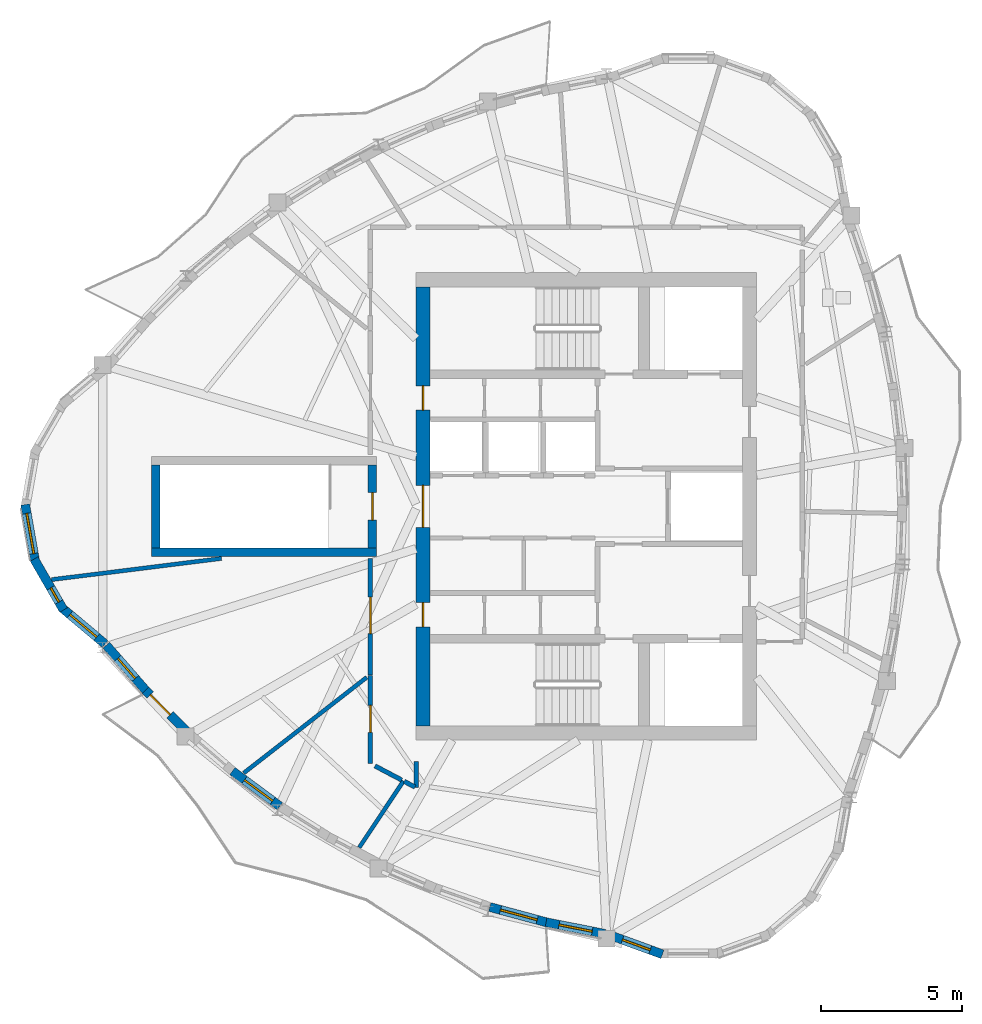
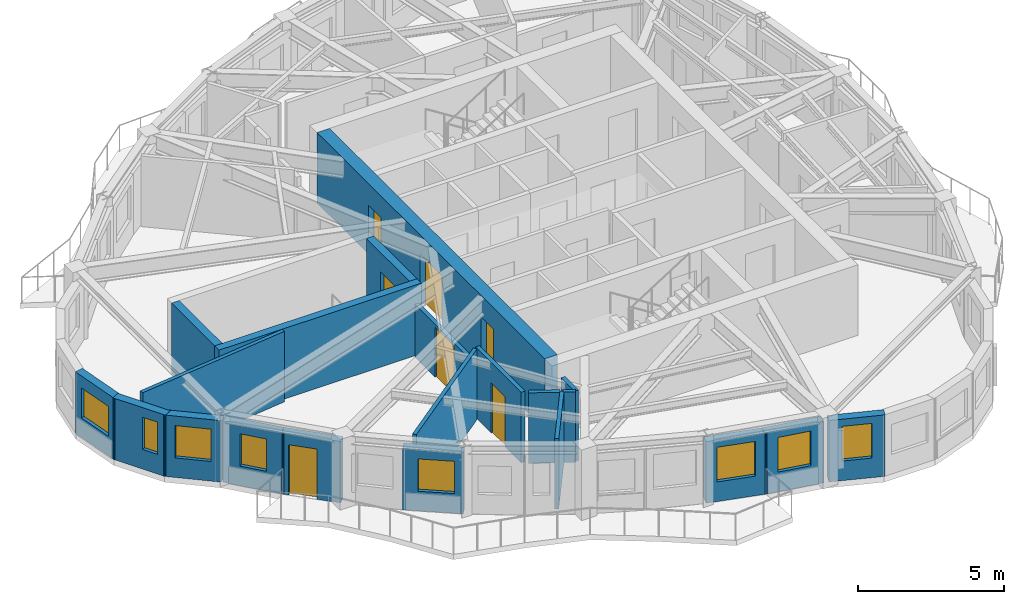
# One storey, part 3 of 12: 21 walls, 8 windows, 7 doors, 15 openings.
"""IFC4 building model written with IfcOpenShell, lengths in metres."""

from ifc_helpers import new_model, si_unit, direction, frame, frame_2d, origin, place, context, subcontext, project, spatial, rectangle, extrude, source, transform, mapped, material, layer, layer_set, type_object, element, fill, save


model = new_model("IFC4")

# Units and contexts
model_context = context("Model", 3, precision=1e-05, world=origin(), true_north=direction((0.0, 1.0)))
body_context = subcontext(model_context, "Body", "Model", "MODEL_VIEW")
ifc_project = project(units=[si_unit("LENGTHUNIT", "METRE"), si_unit("AREAUNIT", "SQUARE_METRE"), si_unit("VOLUMEUNIT", "CUBIC_METRE"), si_unit("PLANEANGLEUNIT", "RADIAN"), si_unit("MASSUNIT", "GRAM", prefix="KILO")], contexts=[model_context])

# Site, building, storey
site_placement = place(None, origin())
site = spatial("IfcSite", under=ifc_project, at=site_placement, CompositionType="ELEMENT")
building_placement = place(site_placement, origin())
building = spatial("IfcBuilding", under=site, at=building_placement, Name="Qafzar Sky-Pleat Residences", CompositionType="ELEMENT")
storey_placement = place(building_placement, frame((0.0, 0.0, 250.0)))
storey = spatial("IfcBuildingStorey", under=building, at=storey_placement, Name="L75", CompositionType="ELEMENT", Elevation=250.0)

# Wall, opening, door
ifc_material_1 = material(Name="Acoustic gypsum plasterboard partition", Category="gypsum")
ifc_layer_1 = layer(ifc_material_1, 0.159912109375)
ifc_layer_set_1 = layer_set([ifc_layer_1], Name="Acoustic gypsum plasterboard partition")
wall_type_1 = type_object("IfcWallType", Name="PART-COR-160", PredefinedType="PARTITIONING", material=ifc_layer_set_1)
wall_1_placement = place(storey_placement, frame((22.679931640625, 20.011962890625, 0.0), z_axis=(0.0, 0.0, 1.0), x_axis=(0.0, 1.0, 0.0)))
wall_1 = element("IfcWall", 1, at=wall_1_placement, inside=storey, type_object=wall_type_1, Name="L75 Partition Wall PART-L75-PW-004", PredefinedType="PARTITIONING", context=body_context, shape_type="SweptSolid", body=[
    extrude(rectangle(XDim=4.137939453125, YDim=0.159912109375, at=frame_2d((2.06884765625, 0.0))), origin(), (0.0, 0.0, 1.0), 2.218017578125),
])
opening_1_placement = place(wall_1_placement, frame((1.466064453125, 0.0, 0.0)))
opening_1 = element("IfcOpeningElement", 2, at=opening_1_placement, cuts=wall_1, Name="Opening ID-05", PredefinedType="OPENING", context=body_context, shape_type="SweptSolid", body=[
    extrude(rectangle(XDim=1.300048828125, YDim=2.10009765625, at=frame_2d((0.64990234375, 1.050048828125))), frame((0.0, 0.08984375, 0.0), z_axis=(0.0, -1.0, 0.0), x_axis=(1.0, 0.0, 0.0)), (0.0, 0.0, 1.0), 0.179931640625),
])
ifc_material_2 = material(Name="Timber-faced fire door", Category="wood")
door_type_1 = type_object("IfcDoorType", Name="DR-LNG-1300", OperationType="DOUBLE_DOOR_SINGLE_SWING", PredefinedType="DOOR", material=ifc_material_2)
shared_shape_1 = source(origin(), body_context, "Body", "SweptSolid", [
    extrude(rectangle(XDim=1.300048828125, YDim=2.10009765625, at=frame_2d((0.64990234375, 1.050048828125))), frame((0.0, 0.02490234375, 0.0), z_axis=(0.0, -1.0, 0.0), x_axis=(1.0, 0.0, 0.0)), (0.0, 0.0, 1.0), 0.050048828125),
])
door_1_placement = place(opening_1_placement, origin())
door_1 = element("IfcDoor", 3, at=door_1_placement, inside=storey, type_object=door_type_1, Name="L75 Research Conference Room Door", OperationType="DOUBLE_DOOR_SINGLE_SWING", OverallHeight=2.10009765625, OverallWidth=1.300048828125, PredefinedType="DOOR", context=body_context, shape_type="MappedRepresentation", body=[
    mapped(shared_shape_1, transform((0.0, 0.0, 0.0), x_axis=(1.0, 0.0, 0.0), y_axis=(0.0, 1.0, 0.0), z_axis=(0.0, 0.0, 1.0), scale=1.0)),
])
fill(opening_1, door_1)

wall_2_placement = place(storey_placement, frame((22.679931640625, 16.868896484375, 0.0), z_axis=(0.0, 0.0, 1.0), x_axis=(0.0, 1.0, 0.0)))
wall_2 = element("IfcWall", 4, at=wall_2_placement, inside=storey, type_object=wall_type_1, Name="L75 Partition Wall PART-L75-PW-008", PredefinedType="PARTITIONING", context=body_context, shape_type="SweptSolid", body=[
    extrude(rectangle(XDim=3.128173828125, YDim=0.159912109375, at=frame_2d((1.56396484375, 0.0))), origin(), (0.0, 0.0, 1.0), 2.949951171875),
])
opening_2_placement = place(wall_2_placement, frame((1.10107421875, 0.0, 0.0)))
opening_2 = element("IfcOpeningElement", 5, at=opening_2_placement, cuts=wall_2, Name="Opening ID-06", PredefinedType="OPENING", context=body_context, shape_type="SweptSolid", body=[
    extrude(rectangle(XDim=0.9599609375, YDim=2.10009765625, at=frame_2d((0.47998046875, 1.050048828125))), frame((0.0, 0.08984375, 0.0), z_axis=(0.0, -1.0, 0.0), x_axis=(1.0, 0.0, 0.0)), (0.0, 0.0, 1.0), 0.179931640625),
])
door_type_2 = type_object("IfcDoorType", Name="DR-STD-960", OperationType="NOTDEFINED", PredefinedType="DOOR", material=ifc_material_2)
shared_shape_2 = source(origin(), body_context, "Body", "SweptSolid", [
    extrude(rectangle(XDim=0.9599609375, YDim=2.10009765625, at=frame_2d((0.47998046875, 1.050048828125))), frame((0.0, 0.02490234375, 0.0), z_axis=(0.0, -1.0, 0.0), x_axis=(1.0, 0.0, 0.0)), (0.0, 0.0, 1.0), 0.050048828125),
])
door_2_placement = place(opening_2_placement, origin())
door_2 = element("IfcDoor", 6, at=door_2_placement, inside=storey, type_object=door_type_2, Name="L75 Wellness Yoga Studio Door", OperationType="SINGLE_SWING_RIGHT", OverallHeight=2.10009765625, OverallWidth=0.9599609375, PredefinedType="DOOR", context=body_context, shape_type="MappedRepresentation", body=[
    mapped(shared_shape_2, transform((0.0, 0.0, 0.0), x_axis=(1.0, 0.0, 0.0), y_axis=(0.0, 1.0, 0.0), z_axis=(0.0, 0.0, 1.0), scale=1.0)),
])
fill(opening_2, door_2)

# Walls
wall_3_placement = place(storey_placement, frame((22.83935546875, 16.781494140625, 0.0), z_axis=(0.0, 0.0, 1.0), x_axis=(0.884533287542, -0.466477076853, 0.0)))
element("IfcWall", 7, at=wall_3_placement, inside=storey, type_object=wall_type_1, Name="L75 Partition Wall PART-L75-PW-025", PredefinedType="PARTITIONING", context=body_context, shape_type="SweptSolid", body=[
    extrude(rectangle(XDim=1.073974609375, YDim=0.159912109375, at=frame_2d((0.537109375, 0.0))), origin(), (0.0, 0.0, 1.0), 2.949951171875),
])
wall_4_placement = place(storey_placement, frame((24.300048828125, 16.010986328125, 0.0), z_axis=(0.0, 0.0, 1.0), x_axis=(0.0, 1.0, 0.0)))
element("IfcWall", 8, at=wall_4_placement, inside=storey, type_object=wall_type_1, Name="L75 Partition Wall PART-L75-PW-027", PredefinedType="PARTITIONING", context=body_context, shape_type="SweptSolid", body=[
    extrude(rectangle(XDim=0.929931640625, YDim=0.159912109375, at=frame_2d((0.46484375, 0.0))), origin(), (0.0, 0.0, 1.0), 2.949951171875),
])
wall_5_placement = place(storey_placement, frame((23.881103515625, 16.231689453125, 0.0), z_axis=(0.0, 0.0, 1.0), x_axis=(0.884769878191, -0.466028177953, 0.0)))
element("IfcWall", 9, at=wall_5_placement, inside=storey, type_object=wall_type_1, Name="L75 Partition Wall PART-L75-PW-032", PredefinedType="PARTITIONING", context=body_context, shape_type="SweptSolid", body=[
    extrude(rectangle(XDim=0.428466796875, YDim=0.159912109375, at=frame_2d((0.21435546875, 0.0))), origin(), (0.0, 0.0, 1.0), 2.949951171875),
])
ifc_layer_2 = layer(ifc_material_1, 0.14501953125)
ifc_layer_set_2 = layer_set([ifc_layer_2], Name="Acoustic gypsum plasterboard partition")
wall_type_2 = type_object("IfcWallType", Name="PART-UNIT-145", PredefinedType="PARTITIONING", material=ifc_layer_set_2)
wall_6_placement = place(storey_placement, frame((11.35400390625, 23.398193359375, 0.0), z_axis=(0.0, 0.0, 1.0), x_axis=(0.992337032495, 0.123560567901, 0.0)))
element("IfcWall", 10, at=wall_6_placement, inside=storey, type_object=wall_type_2, Name="L75 Partition Wall PART-L75-PW-012", PredefinedType="PARTITIONING", context=body_context, shape_type="SweptSolid", body=[
    extrude(rectangle(XDim=6.083740234375, YDim=0.14501953125, at=frame_2d((3.0419921875, 0.0))), origin(), (0.0, 0.0, 1.0), 2.949951171875),
])
wall_7_placement = place(storey_placement, frame((18.182373046875, 16.530517578125, 0.0), z_axis=(0.0, 0.0, 1.0), x_axis=(0.789162127136, 0.614184937209, 0.0)))
element("IfcWall", 11, at=wall_7_placement, inside=storey, type_object=wall_type_2, Name="L75 Partition Wall PART-L75-PW-014", PredefinedType="PARTITIONING", context=body_context, shape_type="SweptSolid", body=[
    extrude(rectangle(XDim=5.53369140625, YDim=0.14501953125, at=frame_2d((2.766845703125, 0.0))), origin(), (0.0, 0.0, 1.0), 2.949951171875),
])
wall_8_placement = place(storey_placement, frame((22.281005859375, 13.882080078125, 0.0), z_axis=(0.0, 0.0, 1.0), x_axis=(0.554204156683, 0.832380773874, 0.0)))
element("IfcWall", 12, at=wall_8_placement, inside=storey, type_object=wall_type_2, Name="L75 Partition Wall PART-L75-PW-020", PredefinedType="PARTITIONING", context=body_context, shape_type="SweptSolid", body=[
    extrude(rectangle(XDim=2.840087890625, YDim=0.14501953125, at=frame_2d((1.419921875, 0.0))), origin(), (0.0, 0.0, 1.0), 2.949951171875),
])

# Wall, opening, window
ifc_material_3 = material(Name="Precast concrete C40/50 with honed Riyadh limestone", Category="concrete")
ifc_layer_3 = layer(ifc_material_3, 0.320068359375)
ifc_layer_set_3 = layer_set([ifc_layer_3], Name="Precast concrete C40/50 with honed Riyadh limestone")
wall_type_3 = type_object("IfcWallType", Name="WALL-EXT-320", PredefinedType="SOLIDWALL", material=ifc_layer_set_3)
wall_9_placement = place(storey_placement, frame((10.416015625, 26.065185546875, 0.0), z_axis=(0.0, 0.0, 1.0), x_axis=(0.173672066494, -0.984803540469, 0.0)))
wall_9 = element("IfcWall", 13, at=wall_9_placement, inside=storey, type_object=wall_type_3, Name="L75 Limestone Facade Wall 4", PredefinedType="SOLIDWALL", context=body_context, shape_type="SweptSolid", body=[
    extrude(rectangle(XDim=2.09033203125, YDim=0.320068359375, at=frame_2d((1.045166015625, 0.0))), origin(), (0.0, 0.0, 1.0), 2.570068359375),
])
opening_3_placement = place(wall_9_placement, frame((0.3203125, 0.0, 0.820068359375)))
opening_3 = element("IfcOpeningElement", 14, at=opening_3_placement, cuts=wall_9, Name="Opening WN-15", PredefinedType="OPENING", context=body_context, shape_type="SweptSolid", body=[
    extrude(rectangle(XDim=1.449951171875, YDim=1.25, at=frame_2d((0.72509765625, 0.625))), frame((0.0, 0.169921875, 0.0), z_axis=(0.0, -1.0, 0.0), x_axis=(1.0, 0.0, 0.0)), (0.0, 0.0, 1.0), 0.340087890625),
])
ifc_material_4 = material(Name="Solar-control low-E glass in bronze aluminium frame", Category="glass")
window_type_1 = type_object("IfcWindowType", Name="WIN-15", PartitioningType="SINGLE_PANEL", PredefinedType="WINDOW", material=ifc_material_4)
shared_shape_3 = source(origin(), body_context, "Body", "SweptSolid", [
    extrude(rectangle(XDim=1.449951171875, YDim=1.25, at=frame_2d((0.72509765625, 0.625))), frame((0.0, 0.030029296875, 0.0), z_axis=(0.0, -1.0, 0.0), x_axis=(1.0, 0.0, 0.0)), (0.0, 0.0, 1.0), 0.06005859375),
])
window_1_placement = place(opening_3_placement, origin())
window_1 = element("IfcWindow", 15, at=window_1_placement, inside=storey, type_object=window_type_1, Name="L75 Punched Facade Window 04", OverallHeight=1.25, OverallWidth=1.449951171875, PartitioningType="SINGLE_PANEL", PredefinedType="WINDOW", context=body_context, shape_type="MappedRepresentation", body=[
    mapped(shared_shape_3, transform((0.0, 0.0, 0.0), x_axis=(1.0, 0.0, 0.0), y_axis=(0.0, 1.0, 0.0), z_axis=(0.0, 0.0, 1.0), scale=1.0)),
])
fill(opening_3, window_1)

wall_10_placement = place(storey_placement, frame((10.734375, 24.129150390625, 0.0), z_axis=(0.0, 0.0, 1.0), x_axis=(0.499995423472, -0.866028046028, 0.0)))
wall_10 = element("IfcWall", 16, at=wall_10_placement, inside=storey, type_object=wall_type_3, Name="L75 Limestone Facade Wall 5", PredefinedType="SOLIDWALL", context=body_context, shape_type="SweptSolid", body=[
    extrude(rectangle(XDim=2.09033203125, YDim=0.320068359375, at=frame_2d((1.045166015625, 0.0))), origin(), (0.0, 0.0, 1.0), 2.570068359375),
])
opening_4_placement = place(wall_10_placement, frame((1.182373046875, 0.0, 0.820068359375)))
opening_4 = element("IfcOpeningElement", 17, at=opening_4_placement, cuts=wall_10, Name="Opening WN-17", PredefinedType="OPENING", context=body_context, shape_type="SweptSolid", body=[
    extrude(rectangle(XDim=0.580078125, YDim=1.35009765625, at=frame_2d((0.2900390625, 0.675048828125))), frame((0.0, 0.169921875, 0.0), z_axis=(0.0, -1.0, 0.0), x_axis=(1.0, 0.0, 0.0)), (0.0, 0.0, 1.0), 0.340087890625),
])
window_type_2 = type_object("IfcWindowType", Name="WIN-17", PartitioningType="SINGLE_PANEL", PredefinedType="WINDOW", material=ifc_material_4)
shared_shape_4 = source(origin(), body_context, "Body", "SweptSolid", [
    extrude(rectangle(XDim=0.580078125, YDim=1.35009765625, at=frame_2d((0.2900390625, 0.675048828125))), frame((0.0, 0.030029296875, 0.0), z_axis=(0.0, -1.0, 0.0), x_axis=(1.0, 0.0, 0.0)), (0.0, 0.0, 1.0), 0.06005859375),
])
window_2_placement = place(opening_4_placement, origin())
window_2 = element("IfcWindow", 18, at=window_2_placement, inside=storey, type_object=window_type_2, Name="L75 Punched Facade Window 05-2", OverallHeight=1.35009765625, OverallWidth=0.580078125, PartitioningType="SINGLE_PANEL", PredefinedType="WINDOW", context=body_context, shape_type="MappedRepresentation", body=[
    mapped(shared_shape_4, transform((0.0, 0.0, 0.0), x_axis=(1.0, 0.0, 0.0), y_axis=(0.0, 1.0, 0.0), z_axis=(0.0, 0.0, 1.0), scale=1.0)),
])
fill(opening_4, window_2)

wall_11_placement = place(storey_placement, frame((11.695556640625, 22.418701171875, 0.0), z_axis=(0.0, 0.0, 1.0), x_axis=(0.766099948115, -0.642721455608, 0.0)))
wall_11 = element("IfcWall", 19, at=wall_11_placement, inside=storey, type_object=wall_type_3, Name="L75 Limestone Facade Wall 6", PredefinedType="SOLIDWALL", context=body_context, shape_type="SweptSolid", body=[
    extrude(rectangle(XDim=2.0322265625, YDim=0.320068359375, at=frame_2d((1.01611328125, 0.0))), origin(), (0.0, 0.0, 1.0), 2.570068359375),
])
opening_5_placement = place(wall_11_placement, frame((0.401123046875, 0.0, 0.820068359375)))
opening_5 = element("IfcOpeningElement", 20, at=opening_5_placement, cuts=wall_11, Name="Opening WN-11", PredefinedType="OPENING", context=body_context, shape_type="SweptSolid", body=[
    extrude(rectangle(XDim=1.25, YDim=1.35009765625, at=frame_2d((0.625, 0.675048828125))), frame((0.0, 0.169921875, 0.0), z_axis=(0.0, -1.0, 0.0), x_axis=(1.0, 0.0, 0.0)), (0.0, 0.0, 1.0), 0.340087890625),
])
window_type_3 = type_object("IfcWindowType", Name="WIN-11", PartitioningType="SINGLE_PANEL", PredefinedType="WINDOW", material=ifc_material_4)
shared_shape_5 = source(origin(), body_context, "Body", "SweptSolid", [
    extrude(rectangle(XDim=1.25, YDim=1.35009765625, at=frame_2d((0.625, 0.675048828125))), frame((0.0, 0.030029296875, 0.0), z_axis=(0.0, -1.0, 0.0), x_axis=(1.0, 0.0, 0.0)), (0.0, 0.0, 1.0), 0.06005859375),
])
window_3_placement = place(opening_5_placement, origin())
window_3 = element("IfcWindow", 21, at=window_3_placement, inside=storey, type_object=window_type_3, Name="L75 Punched Facade Window 06", OverallHeight=1.35009765625, OverallWidth=1.25, PartitioningType="SINGLE_PANEL", PredefinedType="WINDOW", context=body_context, shape_type="MappedRepresentation", body=[
    mapped(shared_shape_5, transform((0.0, 0.0, 0.0), x_axis=(1.0, 0.0, 0.0), y_axis=(0.0, 1.0, 0.0), z_axis=(0.0, 0.0, 1.0), scale=1.0)),
])
fill(opening_5, window_3)

wall_12_placement = place(storey_placement, frame((13.298583984375, 21.0673828125, 0.0), z_axis=(0.0, 0.0, 1.0), x_axis=(0.657609731914, -0.753358772759, 0.0)))
wall_12 = element("IfcWall", 22, at=wall_12_placement, inside=storey, type_object=wall_type_3, Name="L75 Limestone Facade Wall 7", PredefinedType="SOLIDWALL", context=body_context, shape_type="SweptSolid", body=[
    extrude(rectangle(XDim=2.203125, YDim=0.320068359375, at=frame_2d((1.1015625, 0.0))), origin(), (0.0, 0.0, 1.0), 2.570068359375),
])
opening_6_placement = place(wall_12_placement, frame((0.616455078125, 0.0, 0.820068359375)))
opening_6 = element("IfcOpeningElement", 23, at=opening_6_placement, cuts=wall_12, Name="Opening WN-12", PredefinedType="OPENING", context=body_context, shape_type="SweptSolid", body=[
    extrude(rectangle(XDim=0.949951171875, YDim=1.35009765625, at=frame_2d((0.47509765625, 0.675048828125))), frame((0.0, 0.169921875, 0.0), z_axis=(0.0, -1.0, 0.0), x_axis=(1.0, 0.0, 0.0)), (0.0, 0.0, 1.0), 0.340087890625),
])
window_type_4 = type_object("IfcWindowType", Name="WIN-12", PartitioningType="SINGLE_PANEL", PredefinedType="WINDOW", material=ifc_material_4)
shared_shape_6 = source(origin(), body_context, "Body", "SweptSolid", [
    extrude(rectangle(XDim=0.949951171875, YDim=1.35009765625, at=frame_2d((0.47509765625, 0.675048828125))), frame((0.0, 0.030029296875, 0.0), z_axis=(0.0, -1.0, 0.0), x_axis=(1.0, 0.0, 0.0)), (0.0, 0.0, 1.0), 0.06005859375),
])
window_4_placement = place(opening_6_placement, origin())
window_4 = element("IfcWindow", 24, at=window_4_placement, inside=storey, type_object=window_type_4, Name="L75 Punched Facade Window 07", OverallHeight=1.35009765625, OverallWidth=0.949951171875, PartitioningType="SINGLE_PANEL", PredefinedType="WINDOW", context=body_context, shape_type="MappedRepresentation", body=[
    mapped(shared_shape_6, transform((0.0, 0.0, 0.0), x_axis=(1.0, 0.0, 0.0), y_axis=(0.0, 1.0, 0.0), z_axis=(0.0, 0.0, 1.0), scale=1.0)),
])
fill(opening_6, window_4)

# Wall, opening, door
wall_13_placement = place(storey_placement, frame((14.687744140625, 19.471435546875, 0.0), z_axis=(0.0, 0.0, 1.0), x_axis=(0.708392320445, -0.705818900522, 0.0)))
wall_13 = element("IfcWall", 25, at=wall_13_placement, inside=storey, type_object=wall_type_3, Name="L75 Limestone Facade Wall 8", PredefinedType="SOLIDWALL", context=body_context, shape_type="SweptSolid", body=[
    extrude(rectangle(XDim=2.087158203125, YDim=0.320068359375, at=frame_2d((1.04345703125, 0.0))), origin(), (0.0, 0.0, 1.0), 2.570068359375),
])
opening_7_placement = place(wall_13_placement, frame((0.239990234375, 0.0, 0.0)))
opening_7 = element("IfcOpeningElement", 26, at=opening_7_placement, cuts=wall_13, Name="Opening ED-05", PredefinedType="OPENING", context=body_context, shape_type="SweptSolid", body=[
    extrude(rectangle(XDim=1.0, YDim=2.10009765625, at=frame_2d((0.5, 1.050048828125))), frame((0.0, 0.169921875, 0.0), z_axis=(0.0, -1.0, 0.0), x_axis=(1.0, 0.0, 0.0)), (0.0, 0.0, 1.0), 0.340087890625),
])
ifc_material_5 = material(Name="Glazed bronze aluminium door", Category="aluminium")
door_type_3 = type_object("IfcDoorType", Name="DR-BAL-1000", OperationType="NOTDEFINED", PredefinedType="DOOR", material=ifc_material_5)
shared_shape_7 = source(origin(), body_context, "Body", "SweptSolid", [
    extrude(rectangle(XDim=1.0, YDim=2.10009765625, at=frame_2d((0.5, 1.050048828125))), frame((0.0, 0.02490234375, 0.0), z_axis=(0.0, -1.0, 0.0), x_axis=(1.0, 0.0, 0.0)), (0.0, 0.0, 1.0), 0.050048828125),
])
door_3_placement = place(opening_7_placement, origin())
door_3 = element("IfcDoor", 27, at=door_3_placement, inside=storey, type_object=door_type_3, Name="L75 Glazed Balcony Door 3", OperationType="SINGLE_SWING_LEFT", OverallHeight=2.10009765625, OverallWidth=1.0, PredefinedType="DOOR", context=body_context, shape_type="MappedRepresentation", body=[
    mapped(shared_shape_7, transform((0.0, 0.0, 0.0), x_axis=(1.0, 0.0, 0.0), y_axis=(0.0, 1.0, 0.0), z_axis=(0.0, 0.0, 1.0), scale=1.0)),
])
fill(opening_7, door_3)

# Wall, opening, window
wall_14_placement = place(storey_placement, frame((17.775390625, 16.598876953125, 0.0), z_axis=(0.0, 0.0, 1.0), x_axis=(0.803808524664, -0.594888103493, 0.0)))
wall_14 = element("IfcWall", 28, at=wall_14_placement, inside=storey, type_object=wall_type_3, Name="L75 Limestone Facade Wall 10", PredefinedType="SOLIDWALL", context=body_context, shape_type="SweptSolid", body=[
    extrude(rectangle(XDim=2.098876953125, YDim=0.320068359375, at=frame_2d((1.04931640625, 0.0))), origin(), (0.0, 0.0, 1.0), 2.570068359375),
])
opening_8_placement = place(wall_14_placement, frame((0.532958984375, 0.0, 0.820068359375)))
opening_8 = element("IfcOpeningElement", 29, at=opening_8_placement, cuts=wall_14, Name="Opening WN-11", PredefinedType="OPENING", context=body_context, shape_type="SweptSolid", body=[
    extrude(rectangle(XDim=1.25, YDim=1.35009765625, at=frame_2d((0.625, 0.675048828125))), frame((0.0, 0.169921875, 0.0), z_axis=(0.0, -1.0, 0.0), x_axis=(1.0, 0.0, 0.0)), (0.0, 0.0, 1.0), 0.340087890625),
])
window_5_placement = place(opening_8_placement, origin())
window_5 = element("IfcWindow", 30, at=window_5_placement, inside=storey, type_object=window_type_3, Name="L75 Punched Facade Window 10", OverallHeight=1.35009765625, OverallWidth=1.25, PartitioningType="SINGLE_PANEL", PredefinedType="WINDOW", context=body_context, shape_type="MappedRepresentation", body=[
    mapped(shared_shape_5, transform((0.0, 0.0, 0.0), x_axis=(1.0, 0.0, 0.0), y_axis=(0.0, 1.0, 0.0), z_axis=(0.0, 0.0, 1.0), scale=1.0)),
])
fill(opening_8, window_5)

wall_15_placement = place(storey_placement, frame((26.919677734375, 11.76904296875, 0.0), z_axis=(0.0, 0.0, 1.0), x_axis=(0.965460407189, -0.260549807427, 0.0)))
wall_15 = element("IfcWall", 31, at=wall_15_placement, inside=storey, type_object=wall_type_3, Name="L75 Limestone Facade Wall 15", PredefinedType="SOLIDWALL", context=body_context, shape_type="SweptSolid", body=[
    extrude(rectangle(XDim=2.156982421875, YDim=0.320068359375, at=frame_2d((1.07861328125, 0.0))), origin(), (0.0, 0.0, 1.0), 2.570068359375),
])
opening_9_placement = place(wall_15_placement, frame((0.3935546875, 0.0, 0.820068359375)))
opening_9 = element("IfcOpeningElement", 32, at=opening_9_placement, cuts=wall_15, Name="Opening WN-04", PredefinedType="OPENING", context=body_context, shape_type="SweptSolid", body=[
    extrude(rectangle(XDim=1.35009765625, YDim=1.449951171875, at=frame_2d((0.675048828125, 0.72509765625))), frame((0.0, 0.169921875, 0.0), z_axis=(0.0, -1.0, 0.0), x_axis=(1.0, 0.0, 0.0)), (0.0, 0.0, 1.0), 0.340087890625),
])
window_type_5 = type_object("IfcWindowType", Name="WIN-04", PartitioningType="SINGLE_PANEL", PredefinedType="WINDOW", material=ifc_material_4)
shared_shape_8 = source(origin(), body_context, "Body", "SweptSolid", [
    extrude(rectangle(XDim=1.35009765625, YDim=1.449951171875, at=frame_2d((0.675048828125, 0.72509765625))), frame((0.0, 0.030029296875, 0.0), z_axis=(0.0, -1.0, 0.0), x_axis=(1.0, 0.0, 0.0)), (0.0, 0.0, 1.0), 0.06005859375),
])
window_6_placement = place(opening_9_placement, origin())
window_6 = element("IfcWindow", 33, at=window_6_placement, inside=storey, type_object=window_type_5, Name="L75 Punched Facade Window 15", OverallHeight=1.449951171875, OverallWidth=1.35009765625, PartitioningType="SINGLE_PANEL", PredefinedType="WINDOW", context=body_context, shape_type="MappedRepresentation", body=[
    mapped(shared_shape_8, transform((0.0, 0.0, 0.0), x_axis=(1.0, 0.0, 0.0), y_axis=(0.0, 1.0, 0.0), z_axis=(0.0, 0.0, 1.0), scale=1.0)),
])
fill(opening_9, window_6)

wall_16_placement = place(storey_placement, frame((28.91748046875, 11.226806640625, 0.0), z_axis=(0.0, 0.0, 1.0), x_axis=(0.98121826348, -0.192900802003, 0.0)))
wall_16 = element("IfcWall", 34, at=wall_16_placement, inside=storey, type_object=wall_type_3, Name="L75 Limestone Facade Wall 16", PredefinedType="SOLIDWALL", context=body_context, shape_type="SweptSolid", body=[
    extrude(rectangle(XDim=2.132568359375, YDim=0.320068359375, at=frame_2d((1.06640625, 0.0))), origin(), (0.0, 0.0, 1.0), 2.570068359375),
])
opening_10_placement = place(wall_16_placement, frame((0.471435546875, 0.0, 0.820068359375)))
opening_10 = element("IfcOpeningElement", 35, at=opening_10_placement, cuts=wall_16, Name="Opening WN-05", PredefinedType="OPENING", context=body_context, shape_type="SweptSolid", body=[
    extrude(rectangle(XDim=1.199951171875, YDim=1.449951171875, at=frame_2d((0.60009765625, 0.72509765625))), frame((0.0, 0.169921875, 0.0), z_axis=(0.0, -1.0, 0.0), x_axis=(1.0, 0.0, 0.0)), (0.0, 0.0, 1.0), 0.340087890625),
])
window_type_6 = type_object("IfcWindowType", Name="WIN-05", PartitioningType="SINGLE_PANEL", PredefinedType="WINDOW", material=ifc_material_4)
shared_shape_9 = source(origin(), body_context, "Body", "SweptSolid", [
    extrude(rectangle(XDim=1.199951171875, YDim=1.449951171875, at=frame_2d((0.60009765625, 0.72509765625))), frame((0.0, 0.030029296875, 0.0), z_axis=(0.0, -1.0, 0.0), x_axis=(1.0, 0.0, 0.0)), (0.0, 0.0, 1.0), 0.06005859375),
])
window_7_placement = place(opening_10_placement, origin())
window_7 = element("IfcWindow", 36, at=window_7_placement, inside=storey, type_object=window_type_6, Name="L75 Punched Facade Window 16", OverallHeight=1.449951171875, OverallWidth=1.199951171875, PartitioningType="SINGLE_PANEL", PredefinedType="WINDOW", context=body_context, shape_type="MappedRepresentation", body=[
    mapped(shared_shape_9, transform((0.0, 0.0, 0.0), x_axis=(1.0, 0.0, 0.0), y_axis=(0.0, 1.0, 0.0), z_axis=(0.0, 0.0, 1.0), scale=1.0)),
])
fill(opening_10, window_7)

wall_17_placement = place(storey_placement, frame((31.206787109375, 10.760498046875, 0.0), z_axis=(0.0, 0.0, 1.0), x_axis=(0.939735287239, -0.34190289545, 0.0)))
wall_17 = element("IfcWall", 37, at=wall_17_placement, inside=storey, type_object=wall_type_3, Name="L75 Limestone Facade Wall 17", PredefinedType="SOLIDWALL", context=body_context, shape_type="SweptSolid", body=[
    extrude(rectangle(XDim=1.962158203125, YDim=0.320068359375, at=frame_2d((0.98095703125, 0.0))), origin(), (0.0, 0.0, 1.0), 2.570068359375),
])
opening_11_placement = place(wall_17_placement, frame((0.451171875, 0.0, 0.820068359375)))
opening_11 = element("IfcOpeningElement", 38, at=opening_11_placement, cuts=wall_17, Name="Opening WN-06", PredefinedType="OPENING", context=body_context, shape_type="SweptSolid", body=[
    extrude(rectangle(XDim=1.050048828125, YDim=1.449951171875, at=frame_2d((0.52490234375, 0.72509765625))), frame((0.0, 0.169921875, 0.0), z_axis=(0.0, -1.0, 0.0), x_axis=(1.0, 0.0, 0.0)), (0.0, 0.0, 1.0), 0.340087890625),
])
window_type_7 = type_object("IfcWindowType", Name="WIN-06", PartitioningType="SINGLE_PANEL", PredefinedType="WINDOW", material=ifc_material_4)
shared_shape_10 = source(origin(), body_context, "Body", "SweptSolid", [
    extrude(rectangle(XDim=1.050048828125, YDim=1.449951171875, at=frame_2d((0.52490234375, 0.72509765625))), frame((0.0, 0.030029296875, 0.0), z_axis=(0.0, -1.0, 0.0), x_axis=(1.0, 0.0, 0.0)), (0.0, 0.0, 1.0), 0.06005859375),
])
window_8_placement = place(opening_11_placement, origin())
window_8 = element("IfcWindow", 39, at=window_8_placement, inside=storey, type_object=window_type_7, Name="L75 Punched Facade Window 17", OverallHeight=1.449951171875, OverallWidth=1.050048828125, PartitioningType="SINGLE_PANEL", PredefinedType="WINDOW", context=body_context, shape_type="MappedRepresentation", body=[
    mapped(shared_shape_10, transform((0.0, 0.0, 0.0), x_axis=(1.0, 0.0, 0.0), y_axis=(0.0, 1.0, 0.0), z_axis=(0.0, 0.0, 1.0), scale=1.0)),
])
fill(opening_11, window_8)

# Walls
ifc_material_6 = material(Name="Concrete C60/75", Category="concrete")
ifc_layer_4 = layer(ifc_material_6, 0.300048828125)
ifc_layer_set_4 = layer_set([ifc_layer_4], Name="Concrete C60/75")
wall_type_4 = type_object("IfcWallType", Name="WALL-SHEAR-300", PredefinedType="SHEAR", material=ifc_layer_set_4)
wall_18_placement = place(storey_placement, frame((14.89990234375, 24.375, 0.0), z_axis=(0.0, 0.0, 1.0), x_axis=(1.0, 0.0, 0.0)))
element("IfcWall", 40, at=wall_18_placement, inside=storey, type_object=wall_type_4, Name="L75 ST3 wall S", PredefinedType="SHEAR", context=body_context, shape_type="SweptSolid", body=[
    extrude(rectangle(XDim=8.0, YDim=0.300048828125, at=frame_2d((4.0, 0.0))), origin(), (0.0, 0.0, 1.0), 2.949951171875),
])
wall_19_placement = place(storey_placement, frame((15.050048828125, 27.47509765625, 0.0), z_axis=(0.0, 0.0, 1.0), x_axis=(0.0, -1.0, 0.0)))
element("IfcWall", 41, at=wall_19_placement, inside=storey, type_object=wall_type_4, Name="L75 ST3 wall W", PredefinedType="SHEAR", context=body_context, shape_type="SweptSolid", body=[
    extrude(rectangle(XDim=2.9501953125, YDim=0.300048828125, at=frame_2d((1.47509765625, 0.0))), origin(), (0.0, 0.0, 1.0), 2.949951171875),
])

# Wall, opening, door
wall_20_placement = place(storey_placement, frame((22.75, 24.52490234375, 0.0), z_axis=(0.0, 0.0, 1.0), x_axis=(0.0, 1.0, 0.0)))
wall_20 = element("IfcWall", 42, at=wall_20_placement, inside=storey, type_object=wall_type_4, Name="L75 ST3 wall E", PredefinedType="SHEAR", context=body_context, shape_type="SweptSolid", body=[
    extrude(rectangle(XDim=2.9501953125, YDim=0.300048828125, at=frame_2d((1.47509765625, 0.0))), origin(), (0.0, 0.0, 1.0), 2.949951171875),
])
opening_12_placement = place(wall_20_placement, frame((0.985107421875, 0.0, 0.0)))
opening_12 = element("IfcOpeningElement", 43, at=opening_12_placement, cuts=wall_20, Name="Opening ID-01", PredefinedType="OPENING", context=body_context, shape_type="SweptSolid", body=[
    extrude(rectangle(XDim=0.97998046875, YDim=2.14990234375, at=frame_2d((0.489990234375, 1.074951171875))), frame((0.0, 0.16015625, 0.0), z_axis=(0.0, -1.0, 0.0), x_axis=(1.0, 0.0, 0.0)), (0.0, 0.0, 1.0), 0.320068359375),
])
door_type_4 = type_object("IfcDoorType", Name="DR-STAIR-980", OperationType="NOTDEFINED", PredefinedType="DOOR", material=ifc_material_2)
shared_shape_11 = source(origin(), body_context, "Body", "SweptSolid", [
    extrude(rectangle(XDim=0.97998046875, YDim=2.14990234375, at=frame_2d((0.489990234375, 1.074951171875))), frame((0.0, 0.02490234375, 0.0), z_axis=(0.0, -1.0, 0.0), x_axis=(1.0, 0.0, 0.0)), (0.0, 0.0, 1.0), 0.050048828125),
])
door_4_placement = place(opening_12_placement, origin())
door_4 = element("IfcDoor", 44, at=door_4_placement, inside=storey, type_object=door_type_4, Name="L75 Stair ST3 Fire Door", OperationType="SINGLE_SWING_LEFT", OverallHeight=2.14990234375, OverallWidth=0.97998046875, PredefinedType="DOOR", context=body_context, shape_type="MappedRepresentation", body=[
    mapped(shared_shape_11, transform((0.0, 0.0, 0.0), x_axis=(1.0, 0.0, 0.0), y_axis=(0.0, 1.0, 0.0), z_axis=(0.0, 0.0, 1.0), scale=1.0)),
])
fill(opening_12, door_4)

# Wall, openings, doors
ifc_layer_5 = layer(ifc_material_6, 0.5)
ifc_layer_set_5 = layer_set([ifc_layer_5], Name="Concrete C60/75")
wall_type_5 = type_object("IfcWallType", Name="WALL-SHEAR-500", PredefinedType="SHEAR", material=ifc_layer_set_5)
wall_21_placement = place(storey_placement, frame((24.550048828125, 33.800048828125, 0.0), z_axis=(0.0, 0.0, 1.0), x_axis=(0.0, -1.0, 0.0)))
wall_21 = element("IfcWall", 45, at=wall_21_placement, inside=storey, type_object=wall_type_5, Name="L75 CORE wall W", PredefinedType="SHEAR", context=body_context, shape_type="SweptSolid", body=[
    extrude(rectangle(XDim=15.60009765625, YDim=0.5, at=frame_2d((7.800048828125, 0.0))), origin(), (0.0, 0.0, 1.0), 2.949951171875),
])
opening_13_placement = place(wall_21_placement, frame((7.050048828125, 0.0, 0.0)))
opening_13 = element("IfcOpeningElement", 46, at=opening_13_placement, cuts=wall_21, Name="Opening ID-03", PredefinedType="OPENING", context=body_context, shape_type="SweptSolid", body=[
    extrude(rectangle(XDim=1.5, YDim=2.14990234375, at=frame_2d((0.75, 1.074951171875))), frame((0.0, 0.260009765625, 0.0), z_axis=(0.0, -1.0, 0.0), x_axis=(1.0, 0.0, 0.0)), (0.0, 0.0, 1.0), 0.52001953125),
])
opening_14_placement = place(wall_21_placement, frame((3.52001953125, 0.0, 0.0)))
opening_14 = element("IfcOpeningElement", 47, at=opening_14_placement, cuts=wall_21, Name="Opening ID-09", PredefinedType="OPENING", context=body_context, shape_type="SweptSolid", body=[
    extrude(rectangle(XDim=0.860107421875, YDim=2.050048828125, at=frame_2d((0.43017578125, 1.02490234375))), frame((0.0, 0.260009765625, 0.0), z_axis=(0.0, -1.0, 0.0), x_axis=(1.0, 0.0, 0.0)), (0.0, 0.0, 1.0), 0.52001953125),
])
opening_15_placement = place(wall_21_placement, frame((11.219970703125, 0.0, 0.0)))
opening_15 = element("IfcOpeningElement", 48, at=opening_15_placement, cuts=wall_21, Name="Opening ID-09", PredefinedType="OPENING", context=body_context, shape_type="SweptSolid", body=[
    extrude(rectangle(XDim=0.860107421875, YDim=2.050048828125, at=frame_2d((0.43017578125, 1.02490234375))), frame((0.0, 0.260009765625, 0.0), z_axis=(0.0, -1.0, 0.0), x_axis=(1.0, 0.0, 0.0)), (0.0, 0.0, 1.0), 0.52001953125),
])
door_type_5 = type_object("IfcDoorType", Name="DR-COR-1500", OperationType="DOUBLE_DOOR_SINGLE_SWING", PredefinedType="DOOR", material=ifc_material_2)
shared_shape_12 = source(origin(), body_context, "Body", "SweptSolid", [
    extrude(rectangle(XDim=1.5, YDim=2.14990234375, at=frame_2d((0.75, 1.074951171875))), frame((0.0, 0.02490234375, 0.0), z_axis=(0.0, -1.0, 0.0), x_axis=(1.0, 0.0, 0.0)), (0.0, 0.0, 1.0), 0.050048828125),
])
door_5_placement = place(opening_13_placement, origin())
door_5 = element("IfcDoor", 49, at=door_5_placement, inside=storey, type_object=door_type_5, Name="L75 Lift Lobby West Double Door", OperationType="DOUBLE_DOOR_SINGLE_SWING", OverallHeight=2.14990234375, OverallWidth=1.5, PredefinedType="DOOR", context=body_context, shape_type="MappedRepresentation", body=[
    mapped(shared_shape_12, transform((0.0, 0.0, 0.0), x_axis=(1.0, 0.0, 0.0), y_axis=(0.0, 1.0, 0.0), z_axis=(0.0, 0.0, 1.0), scale=1.0)),
])
fill(opening_13, door_5)
door_type_6 = type_object("IfcDoorType", Name="DR-SVC-860", OperationType="NOTDEFINED", PredefinedType="DOOR", material=ifc_material_2)
shared_shape_13 = source(origin(), body_context, "Body", "SweptSolid", [
    extrude(rectangle(XDim=0.860107421875, YDim=2.050048828125, at=frame_2d((0.43017578125, 1.02490234375))), frame((0.0, 0.02490234375, 0.0), z_axis=(0.0, -1.0, 0.0), x_axis=(1.0, 0.0, 0.0)), (0.0, 0.0, 1.0), 0.050048828125),
])
door_6_placement = place(opening_14_placement, origin())
door_6 = element("IfcDoor", 50, at=door_6_placement, inside=storey, type_object=door_type_6, Name="L75 Core North-West Service Door", OperationType="SINGLE_SWING_RIGHT", OverallHeight=2.050048828125, OverallWidth=0.860107421875, PredefinedType="DOOR", context=body_context, shape_type="MappedRepresentation", body=[
    mapped(shared_shape_13, transform((0.0, 0.0, 0.0), x_axis=(1.0, 0.0, 0.0), y_axis=(0.0, 1.0, 0.0), z_axis=(0.0, 0.0, 1.0), scale=1.0)),
])
fill(opening_14, door_6)
door_7_placement = place(opening_15_placement, origin())
door_7 = element("IfcDoor", 51, at=door_7_placement, inside=storey, type_object=door_type_6, Name="L75 Core South-West Service Door", OperationType="SINGLE_SWING_LEFT", OverallHeight=2.050048828125, OverallWidth=0.860107421875, PredefinedType="DOOR", context=body_context, shape_type="MappedRepresentation", body=[
    mapped(shared_shape_13, transform((0.0, 0.0, 0.0), x_axis=(1.0, 0.0, 0.0), y_axis=(0.0, 1.0, 0.0), z_axis=(0.0, 0.0, 1.0), scale=1.0)),
])
fill(opening_15, door_7)

save(model, "model.ifc")
